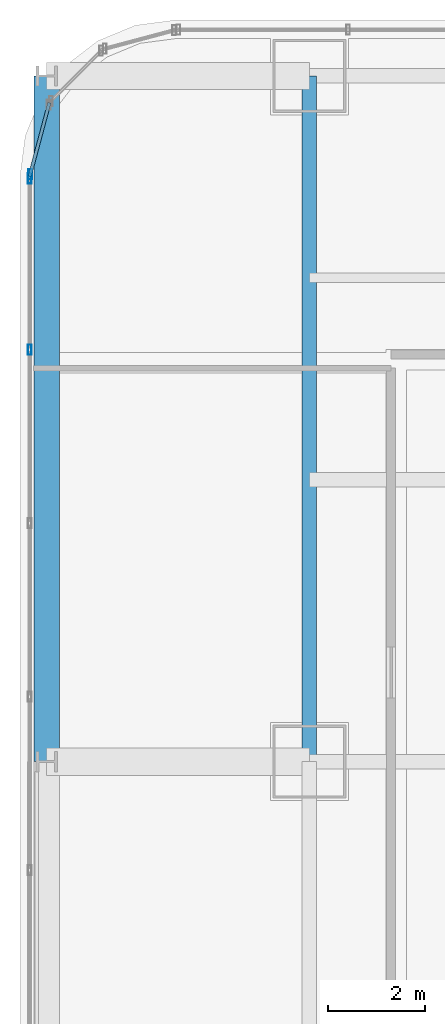
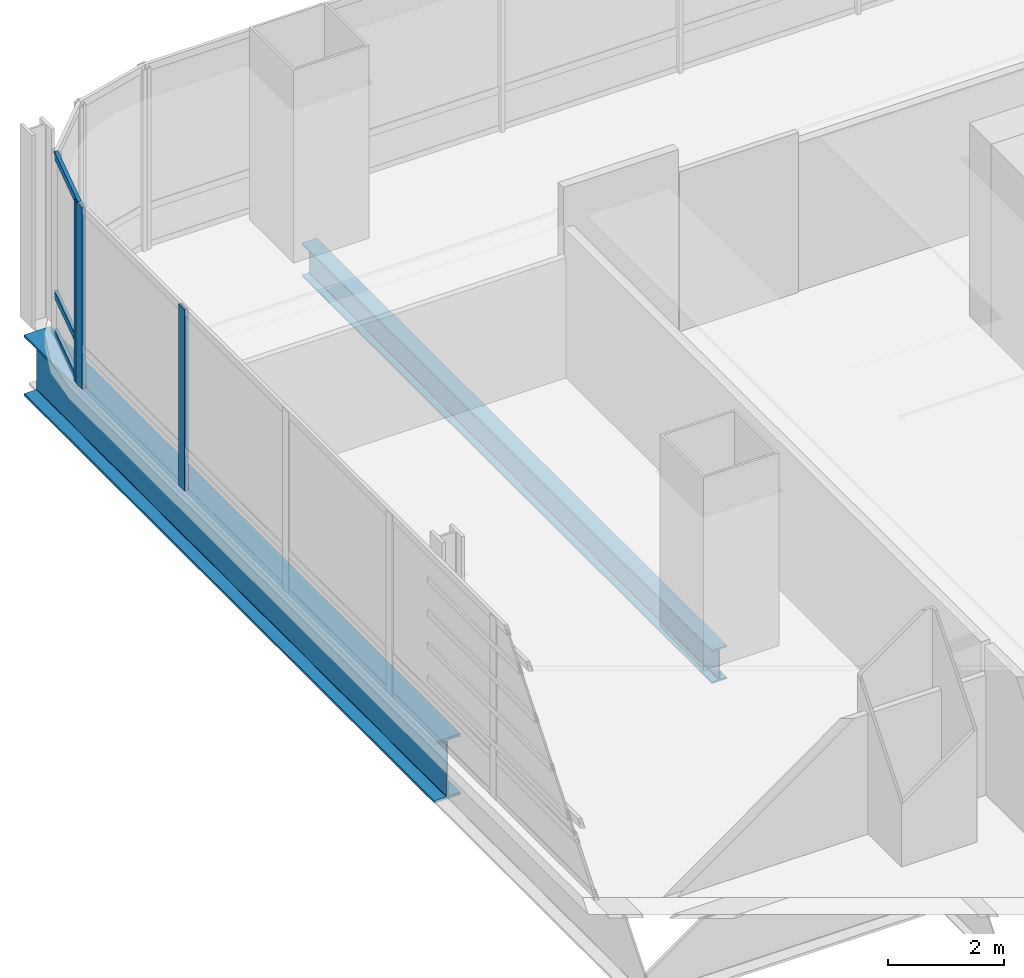
# One storey, part 18 of 36: 6 members, 2 beams, 2 elements without a shape of their own.
"""IFC4 building model written with IfcOpenShell, lengths in metres."""

from ifc_helpers import new_model, si_unit, direction, frame, origin, origin_2d, place, context, subcontext, project, spatial, hollow_rectangle, i_section, extrude, material, material_profile, profile_set, type_object, element, aggregate, save


model = new_model("IFC4")

# Units and contexts
model_context = context("Model", 3, precision=1e-05, world=origin(), true_north=direction((0.0, 1.0)))
body_context = subcontext(model_context, "Body", "Model", "MODEL_VIEW")
ifc_project = project(units=[si_unit("LENGTHUNIT", "METRE"), si_unit("AREAUNIT", "SQUARE_METRE"), si_unit("VOLUMEUNIT", "CUBIC_METRE"), si_unit("PLANEANGLEUNIT", "RADIAN"), si_unit("MASSUNIT", "GRAM", prefix="KILO")], contexts=[model_context])

# Site, building, storey
site_placement = place(None, origin())
site = spatial("IfcSite", under=ifc_project, at=site_placement, CompositionType="ELEMENT")
building_placement = place(site_placement, origin())
building = spatial("IfcBuilding", under=site, at=building_placement, Name="Punatoya Terracotta Tower", CompositionType="ELEMENT")
storey_placement = place(building_placement, frame((0.0, 0.0, 36.300048828125)))
storey = spatial("IfcBuildingStorey", under=building, at=storey_placement, Name="L07", CompositionType="ELEMENT", Elevation=36.300048828125)

# Beams
ifc_material_1 = material(Name="Steel S355", Category="steel")
ifc_material_profile_1 = material_profile(ifc_material_1, i_section(OverallWidth=0.300048828125, OverallDepth=0.699951171875, WebThickness=0.01708984375, FlangeThickness=0.031982421875, FilletRadius=0.01806640625, at=origin_2d()))
ifc_profile_set_1 = profile_set([ifc_material_profile_1], Name="Steel S355")
beam_type_1 = type_object("IfcBeamType", Name="BM-PRI-700", PredefinedType="BEAM", material=ifc_profile_set_1)
beam_1_placement = place(storey_placement, frame((-19.10009765625, 3.39990234375, -0.590087890625), z_axis=(0.0, 1.0, 0.0), x_axis=(-1.0, 0.0, 0.0)))
element("IfcBeam", 1, at=beam_1_placement, inside=storey, type_object=beam_type_1, Name="BM-L07-RG-W3", PredefinedType="BEAM", context=body_context, shape_type="SweptSolid", body=[
    extrude(i_section(OverallWidth=0.300048828125, OverallDepth=0.699951171875, WebThickness=0.01708984375, FlangeThickness=0.031982421875, FilletRadius=0.01806640625, at=origin_2d()), origin(), (0.0, 0.0, 1.0), 14.10009765625),
])
ifc_material_2 = material(Name="Steel S460", Category="steel")
ifc_material_profile_2 = material_profile(ifc_material_2, i_section(OverallWidth=0.52001953125, OverallDepth=1.280029296875, WebThickness=0.031982421875, FlangeThickness=0.050048828125, FilletRadius=0.01806640625, at=origin_2d()))
ifc_profile_set_2 = profile_set([ifc_material_profile_2], Name="Steel S460")
beam_type_2 = type_object("IfcBeamType", Name="BM-TG-NCK", PredefinedType="BEAM", material=ifc_profile_set_2)
beam_2_placement = place(storey_placement, frame((-24.5, 3.39990234375, -0.880126953125), z_axis=(0.0, 1.0, 0.0), x_axis=(-1.0, 0.0, 0.0)))
element("IfcBeam", 2, at=beam_2_placement, inside=storey, type_object=beam_type_2, Name="BM-L07-PER-W3", PredefinedType="BEAM", context=body_context, shape_type="SweptSolid", body=[
    extrude(i_section(OverallWidth=0.52001953125, OverallDepth=1.280029296875, WebThickness=0.031982421875, FlangeThickness=0.050048828125, FilletRadius=0.01806640625, at=origin_2d()), origin(), (0.0, 0.0, 1.0), 14.10009765625),
])

# Curtain wall, member
ifc_material_3 = material(Name="Aluminium 6063-T6 + Double Low-E Glass", Category="aluminium")
curtain_wall_type = type_object("IfcCurtainWallType", Name="CW-M1", PredefinedType="NOTDEFINED", material=ifc_material_3)
curtain_wall_1_placement = place(storey_placement, origin())
curtain_wall_1 = element("IfcCurtainWall", 3, at=curtain_wall_1_placement, inside=storey, type_object=curtain_wall_type, Name="L07 Curtain Wall CW-L07-CRN12", PredefinedType="NOTDEFINED")
ifc_material_4 = material(Name="Aluminium 6063-T6", Category="aluminium")
ifc_material_profile_3 = material_profile(ifc_material_4, hollow_rectangle(XDim=0.074951171875, YDim=0.2099609375, WallThickness=0.00439453125, at=origin_2d()))
ifc_profile_set_3 = profile_set([ifc_material_profile_3], Name="Aluminium 6063-T6")
member_type_1 = type_object("IfcMemberType", Name="CW-MUL-M1", PredefinedType="MULLION", material=ifc_profile_set_3)
member_1_placement = place(storey_placement, frame((-24.83837890625, 15.48046875, 0.0), z_axis=(0.0, 0.0, 1.0), x_axis=(1.0, 0.0, 0.0)))
member_1 = element("IfcMember", 4, at=member_1_placement, type_object=member_type_1, Name="CW-L07-CRN12 Mullion 01", PredefinedType="MULLION", context=body_context, shape_type="SweptSolid", body=[
    extrude(hollow_rectangle(XDim=0.074951171875, YDim=0.2099609375, WallThickness=0.00439453125, at=origin_2d()), origin(), (0.0, 0.0, 1.0), 3.81005859375),
])

# Curtain wall, members
curtain_wall_2_placement = place(storey_placement, origin())
curtain_wall_2 = element("IfcCurtainWall", 5, at=curtain_wall_2_placement, inside=storey, type_object=curtain_wall_type, Name="L07 Curtain Wall CW-L07-W13-1", PredefinedType="NOTDEFINED")
member_2_placement = place(storey_placement, frame((-24.85009765625, 15.391845703125, 0.0), z_axis=(0.0, 0.0, 1.0), x_axis=(1.0, 0.0, 0.0)))
member_2 = element("IfcMember", 6, at=member_2_placement, type_object=member_type_1, Name="CW-L07-W13-1 Mullion 00", PredefinedType="MULLION", context=body_context, shape_type="SweptSolid", body=[
    extrude(hollow_rectangle(XDim=0.074951171875, YDim=0.2099609375, WallThickness=0.00439453125, at=origin_2d()), origin(), (0.0, 0.0, 1.0), 3.81005859375),
])
member_3_placement = place(storey_placement, frame((-24.85009765625, 11.869384765625, 0.0), z_axis=(0.0, 0.0, 1.0), x_axis=(1.0, 0.0, 0.0)))
member_3 = element("IfcMember", 7, at=member_3_placement, type_object=member_type_1, Name="CW-L07-W13-1 Mullion 01", PredefinedType="MULLION", context=body_context, shape_type="SweptSolid", body=[
    extrude(hollow_rectangle(XDim=0.074951171875, YDim=0.2099609375, WallThickness=0.00439453125, at=origin_2d()), origin(), (0.0, 0.0, 1.0), 3.81005859375),
])
aggregate(curtain_wall_2, [member_2, member_3])

# Member
ifc_material_profile_4 = material_profile(ifc_material_4, hollow_rectangle(XDim=0.068115234375, YDim=0.14990234375, WallThickness=0.00390625, at=origin_2d()))
ifc_profile_set_4 = profile_set([ifc_material_profile_4], Name="Aluminium 6063-T6")
member_type_2 = type_object("IfcMemberType", Name="CW-TRN-TYP", PredefinedType="USERDEFINED", material=ifc_profile_set_4)
member_4_placement = place(storey_placement, frame((-24.446533203125, 16.94921875, 0.0400390625), z_axis=(-0.257847112249, -0.966185730957, 0.0), x_axis=(0.966185730957, -0.257847112249, 0.0)))
member_4 = element("IfcMember", 8, at=member_4_placement, type_object=member_type_2, Name="CW-L07-CRN12 Transom 1", ObjectType="TRANSOM", PredefinedType="USERDEFINED", context=body_context, shape_type="SweptSolid", body=[
    extrude(hollow_rectangle(XDim=0.068115234375, YDim=0.14990234375, WallThickness=0.00390625, at=origin_2d()), origin(), (0.0, 0.0, 1.0), 1.565185546875),
])

member_5_placement = place(storey_placement, frame((-24.446533203125, 16.94921875, 0.849853515625), z_axis=(-0.257847112249, -0.966185730957, 0.0), x_axis=(0.966185730957, -0.257847112249, 0.0)))
member_5 = element("IfcMember", 9, at=member_5_placement, type_object=member_type_2, Name="CW-L07-CRN12 Transom 2", ObjectType="TRANSOM", PredefinedType="USERDEFINED", context=body_context, shape_type="SweptSolid", body=[
    extrude(hollow_rectangle(XDim=0.068115234375, YDim=0.14990234375, WallThickness=0.00390625, at=origin_2d()), origin(), (0.0, 0.0, 1.0), 1.565185546875),
])

member_6_placement = place(storey_placement, frame((-24.446533203125, 16.94921875, 3.77001953125), z_axis=(-0.257847112249, -0.966185730957, 0.0), x_axis=(0.966185730957, -0.257847112249, 0.0)))
member_6 = element("IfcMember", 10, at=member_6_placement, type_object=member_type_2, Name="CW-L07-CRN12 Transom 3", ObjectType="TRANSOM", PredefinedType="USERDEFINED", context=body_context, shape_type="SweptSolid", body=[
    extrude(hollow_rectangle(XDim=0.068115234375, YDim=0.14990234375, WallThickness=0.00390625, at=origin_2d()), origin(), (0.0, 0.0, 1.0), 1.565185546875),
])

aggregate(curtain_wall_1, [member_1, member_4, member_5, member_6])

save(model, "model.ifc")
